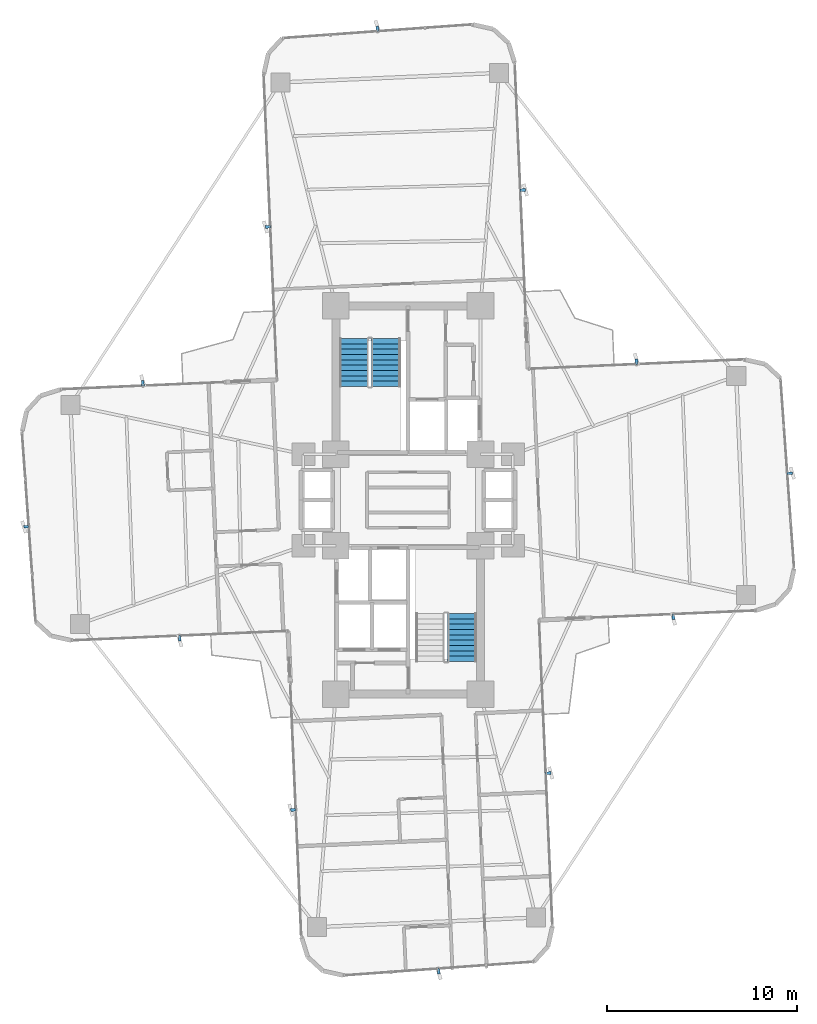
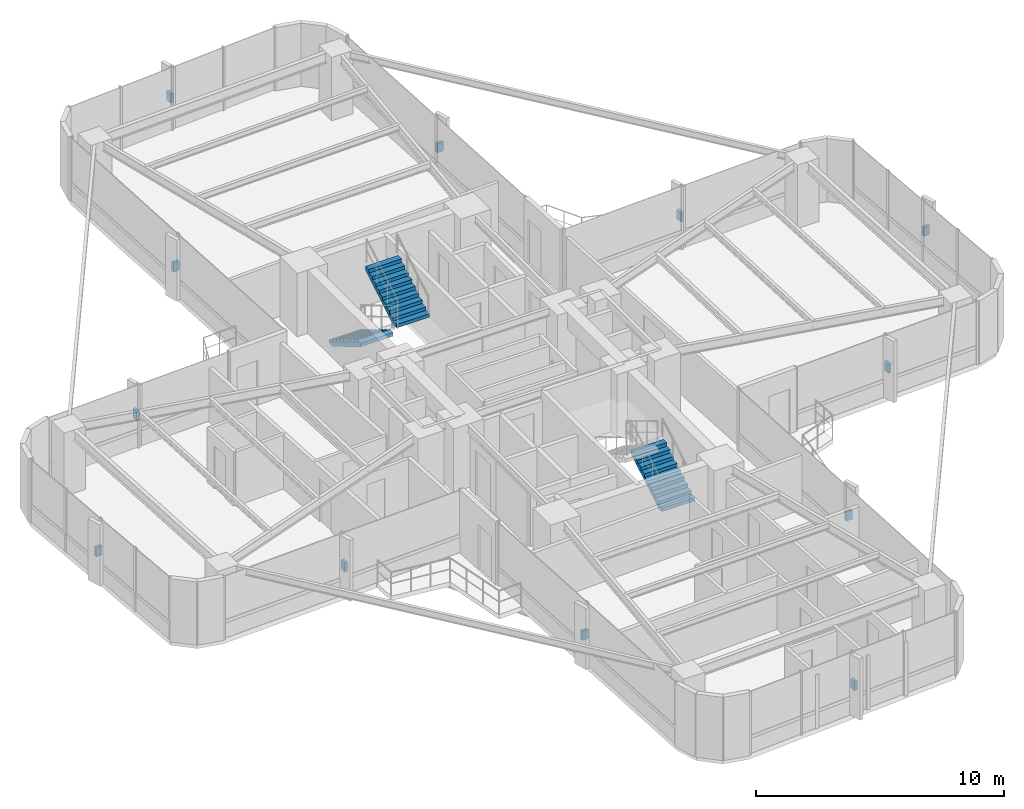
# One storey, part 25 of 26: 12 discrete accessories, 3 stair flights, 2 elements without a shape of their own.
"""IFC4 building model written with IfcOpenShell, lengths in metres."""

import ifcopenshell
import ifcopenshell.guid

model = None  # the IFC model being written
_history = None  # IfcOwnerHistory: only IFC2X3 demands one
_inside = {}  # id of a spatial element -> (the spatial element, [elements in it])
_under = {}  # id of a project, library or spatial element -> (it, [spatial elements below it])
_declared = {}  # id of a project -> (the project, [libraries it declares])
_typed = {}  # id of a type object -> (the type object, [elements of that type])
_made_of = {}  # id of a material, layer set ... -> (it, [elements and type objects made of it])


def new_model(schema):
    """Start an empty IFC model of exactly this schema.

    Asked for "IFC4X3", IfcOpenShell would pick the latest addendum, in which some entities
    have other attributes; the version numbers below select the first issue.
    IFC2X3 requires an IfcOwnerHistory on every rooted entity: one is made here for all.
    """
    global model, _history
    if schema == "IFC4X3":
        model = ifcopenshell.file(schema_version=(4, 3, 0, 0))
    else:
        model = ifcopenshell.file(schema=schema)
    _inside.clear()
    _under.clear()
    _declared.clear()
    _typed.clear()
    _made_of.clear()
    _history = None
    if model.schema == "IFC2X3":
        org = make("IfcOrganization", Name="unknown")
        user = make(
            "IfcPersonAndOrganization",
            ThePerson=make("IfcPerson", FamilyName="unknown"),
            TheOrganization=org,
        )
        app = make(
            "IfcApplication",
            ApplicationDeveloper=org,
            Version="unknown",
            ApplicationFullName="unknown",
            ApplicationIdentifier="unknown",
        )
        _history = make(
            "IfcOwnerHistory",
            OwningUser=user,
            OwningApplication=app,
            ChangeAction="ADDED",
            CreationDate=0,
        )
    return model


def make(cls, **values):
    """One entity of the class cls with the attributes given. An attribute that is None is left unset."""
    return model.create_entity(
        cls, **{name: value for name, value in values.items() if value is not None}
    )


def rooted(cls, **values):
    """An entity with a GlobalId (a new one), such as an element, a storey or a relation."""
    return make(cls, GlobalId=ifcopenshell.guid.new(), OwnerHistory=_history, **values)


def si_unit(unit_type, name, prefix=None):
    """IfcSIUnit, for example si_unit("LENGTHUNIT", "METRE", prefix="MILLI")."""
    return make("IfcSIUnit", UnitType=unit_type, Prefix=prefix, Name=name)


def assignment(units):
    """IfcUnitAssignment: the units of a project."""
    return None if units is None else make("IfcUnitAssignment", Units=units)


def point(xyz):
    """IfcCartesianPoint."""
    return None if xyz is None else make("IfcCartesianPoint", Coordinates=xyz)


def direction(xyz):
    """IfcDirection."""
    return None if xyz is None else make("IfcDirection", DirectionRatios=xyz)


def frame(location, z_axis=None, x_axis=None):
    """IfcAxis2Placement3D, a coordinate frame: its origin and axes. An axis left out is left unset."""
    return make(
        "IfcAxis2Placement3D",
        Location=point(location),
        Axis=direction(z_axis),
        RefDirection=direction(x_axis),
    )


def frame_2d(location, x_axis=None):
    """IfcAxis2Placement2D, a coordinate frame in the plane: its origin and x axis."""
    return make(
        "IfcAxis2Placement2D", Location=point(location), RefDirection=direction(x_axis)
    )


def origin():
    """The frame at (0, 0, 0) with its axes left unset."""
    return frame((0.0, 0.0, 0.0))


def origin_2d():
    """The frame at (0, 0) in the plane with its x axis left unset."""
    return frame_2d((0.0, 0.0))


def place(relative_to, where):
    """IfcLocalPlacement: puts the frame where relative to a parent placement (None: the world)."""
    return make(
        "IfcLocalPlacement", PlacementRelTo=relative_to, RelativePlacement=where
    )


def context(
    kind, dimensions, precision=None, world=None, true_north=None, identifier=None
):
    """IfcGeometricRepresentationContext, for example the 3D "Model" context."""
    return make(
        "IfcGeometricRepresentationContext",
        ContextIdentifier=identifier,
        ContextType=kind,
        CoordinateSpaceDimension=dimensions,
        Precision=precision,
        WorldCoordinateSystem=world,
        TrueNorth=true_north,
    )


def subcontext(parent, identifier, kind, view, scale=None):
    """IfcGeometricRepresentationSubContext, for example "Body" below "Model"."""
    return make(
        "IfcGeometricRepresentationSubContext",
        ContextIdentifier=identifier,
        ContextType=kind,
        ParentContext=parent,
        TargetScale=scale,
        TargetView=view,
    )


def project(units=None, contexts=None):
    """IfcProject with its units and contexts."""
    return rooted(
        "IfcProject",
        Name="project",
        RepresentationContexts=contexts,
        UnitsInContext=assignment(units),
    )


def spatial(cls, under=None, at=None, **own):
    """A site, building, storey or space (cls), placed at a placement, below another one or the project."""
    s = rooted(cls, ObjectPlacement=at, **own)
    if under is not None:
        _under.setdefault(under.id(), (under, []))[1].append(s)
    return s


def polyline(points):
    """IfcPolyline through the points."""
    return make("IfcPolyline", Points=[point(p) for p in points])


def profile(cls, at=None, kind="AREA", **sizes):
    """A parametric profile (cls). Its sizes go by their IFC names, for example OverallWidth=200.0."""
    return make(cls, ProfileType=kind, Position=at, **sizes)


def rectangle(**sizes):
    """IfcRectangleProfileDef."""
    return profile("IfcRectangleProfileDef", **sizes)


def outline(outer, holes=None, kind="AREA"):
    """IfcArbitraryClosedProfileDef: a profile drawn as a closed curve; with holes, ...WithVoids."""
    if holes is None:
        return make("IfcArbitraryClosedProfileDef", ProfileType=kind, OuterCurve=outer)
    return make(
        "IfcArbitraryProfileDefWithVoids",
        ProfileType=kind,
        OuterCurve=outer,
        InnerCurves=holes,
    )


def extrude(swept, where, along, depth):
    """IfcExtrudedAreaSolid: the profile swept, set in the frame where, extruded along a direction by depth."""
    return make(
        "IfcExtrudedAreaSolid",
        SweptArea=swept,
        Position=where,
        ExtrudedDirection=direction(along),
        Depth=depth,
    )


def shape(context_of_items, identifier, shape_type, items):
    """IfcShapeRepresentation: the items that make up one representation, for example the "Body"."""
    return make(
        "IfcShapeRepresentation",
        ContextOfItems=context_of_items,
        RepresentationIdentifier=identifier,
        RepresentationType=shape_type,
        Items=items,
    )


def source(mapping_origin, context_of_items, identifier, shape_type, items):
    """IfcRepresentationMap: a shape defined once, which mapped items show again and again."""
    return make(
        "IfcRepresentationMap",
        MappingOrigin=mapping_origin,
        MappedRepresentation=shape(context_of_items, identifier, shape_type, items),
    )


def transform(
    local_origin,
    x_axis=None,
    y_axis=None,
    z_axis=None,
    scale=None,
    scale2=None,
    scale3=None,
    uniform=True,
):
    """IfcCartesianTransformationOperator3D, or its non-uniform kind. x_axis, y_axis, z_axis: its Axis1, 2, 3."""
    if uniform:
        return make(
            "IfcCartesianTransformationOperator3D",
            Axis1=direction(x_axis),
            Axis2=direction(y_axis),
            LocalOrigin=point(local_origin),
            Scale=scale,
            Axis3=direction(z_axis),
        )
    return make(
        "IfcCartesianTransformationOperator3DnonUniform",
        Axis1=direction(x_axis),
        Axis2=direction(y_axis),
        LocalOrigin=point(local_origin),
        Scale=scale,
        Axis3=direction(z_axis),
        Scale2=scale2,
        Scale3=scale3,
    )


def mapped(mapping_source, mapping_target):
    """IfcMappedItem: shows the shape of a source again, moved by a transform."""
    return make(
        "IfcMappedItem", MappingSource=mapping_source, MappingTarget=mapping_target
    )


def material(Name=None, Category=None):
    """IfcMaterial."""
    return make("IfcMaterial", Name=Name, Category=Category)


def made_of(thing, what):
    """Note that an element or type object is made of a material, layer set ...; save() writes the relation."""
    if what is not None:
        _made_of.setdefault(what.id(), (what, []))[1].append(thing)
    return thing


def type_object(cls, material=None, **own):
    """A type object (cls), such as IfcWallType, which elements share."""
    return made_of(rooted(cls, **own), material)


def element(
    cls,
    number,
    at=None,
    inside=None,
    cuts=None,
    type_object=None,
    material=None,
    context=None,
    identifier="Body",
    shape_type=None,
    held_by="IfcProductDefinitionShape",
    body=None,
    shapes=None,
    **own,
):
    """One element of the class cls, such as IfcWall. Its Tag is "e" and its number.

    at: its placement. inside: the storey or other place that contains it. cuts: it is an
    opening in that element (IfcRelVoidsElement). A single representation is given by context,
    identifier, shape_type and body (its items); several are given by shapes. held_by: the class
    of the entity that holds the representations. save() writes the other relations.
    """
    e = rooted(cls, Tag="e%d" % number, ObjectPlacement=at, **own)
    if body is not None:
        shapes = [shape(context, identifier, shape_type, body)]
    if shapes is not None:
        e.Representation = make(held_by, Representations=shapes)
    if inside is not None:
        _inside.setdefault(inside.id(), (inside, []))[1].append(e)
    if cuts is not None:
        rooted(
            "IfcRelVoidsElement", RelatingBuildingElement=cuts, RelatedOpeningElement=e
        )
    if type_object is not None:
        _typed.setdefault(type_object.id(), (type_object, []))[1].append(e)
    return made_of(e, material)


def aggregate(whole, parts):
    """IfcRelAggregates: a whole, such as a stair, and the parts it consists of."""
    return rooted("IfcRelAggregates", RelatingObject=whole, RelatedObjects=parts)


def save(model, path):
    """Write the relations noted so far, then the file.

    IfcRelAggregates (storeys below a building ...), IfcRelContainedInSpatialStructure (elements
    in a storey), IfcRelDefinesByType, IfcRelAssociatesMaterial and IfcRelDeclares: one each for
    every whole, place, type object, material and project.
    """
    for whole, parts in _under.values():
        aggregate(whole, parts)
    for where, things in _inside.values():
        rooted(
            "IfcRelContainedInSpatialStructure",
            RelatedElements=things,
            RelatingStructure=where,
        )
    for kind, things in _typed.values():
        rooted("IfcRelDefinesByType", RelatedObjects=things, RelatingType=kind)
    for what, things in _made_of.values():
        rooted("IfcRelAssociatesMaterial", RelatedObjects=things, RelatingMaterial=what)
    for by, libraries in _declared.values():
        rooted("IfcRelDeclares", RelatingContext=by, RelatedDefinitions=libraries)
    model.write(path)


model = new_model("IFC4")

# Units and contexts
model_context = context("Model", 3, precision=1e-05, world=origin(), true_north=direction((0.0, 1.0)))
body_context = subcontext(model_context, "Body", "Model", "MODEL_VIEW")
ifc_project = project(units=[si_unit("LENGTHUNIT", "METRE"), si_unit("AREAUNIT", "SQUARE_METRE"), si_unit("VOLUMEUNIT", "CUBIC_METRE"), si_unit("PLANEANGLEUNIT", "RADIAN"), si_unit("MASSUNIT", "GRAM", prefix="KILO")], contexts=[model_context])

# Site, building, storey
site_placement = place(None, origin())
site = spatial("IfcSite", under=ifc_project, at=site_placement, CompositionType="ELEMENT")
building_placement = place(site_placement, origin())
building = spatial("IfcBuilding", under=site, at=building_placement, Name="Sahyath Konkavel Grand Hotel", CompositionType="ELEMENT")
storey_placement = place(building_placement, frame((0.0, 0.0, 96.89990234375)))
storey = spatial("IfcBuildingStorey", under=building, at=storey_placement, Name="L26", CompositionType="ELEMENT", Elevation=96.89990234375)

# Stair, stair flights
ifc_material_1 = material(Name="Concrete C40/50", Category="concrete")
stair_type = type_object("IfcStairType", Name="STR-ST16-335", PredefinedType="HALF_TURN_STAIR", material=ifc_material_1)
stair_1_placement = place(storey_placement, origin())
stair_1 = element("IfcStair", 1, at=stair_1_placement, inside=storey, type_object=stair_type, Name="L26 North Core Smokeproof Exit Stair ST-1", PredefinedType="HALF_TURN_STAIR")
stair_flight_type = type_object("IfcStairFlightType", Name="STF-ST16-335", PredefinedType="STRAIGHT", material=ifc_material_1)
stair_flight_1_placement = place(storey_placement, frame((-2.840087890625, 8.47998046875, 0.0), z_axis=(0.0, 0.0, 1.0), x_axis=(0.0, -1.0, 0.0)))
stair_flight_1 = element("IfcStairFlight", 2, at=stair_flight_1_placement, type_object=stair_flight_type, Name="ST-1 flight 1", NumberOfRisers=10, NumberOfTreads=9, PredefinedType="STRAIGHT", RiserHeight=0.1675, TreadLength=0.28, context=body_context, shape_type="SweptSolid", body=[
    extrude(outline(polyline([(0.0, 0.0), (0.0, 0.16748046875), (0.280029296875, 0.16748046875), (0.280029296875, 0.3349609375), (0.56005859375, 0.3349609375), (0.56005859375, 0.50244140625), (0.840087890625, 0.50244140625), (0.840087890625, 0.669921875), (1.1201171875, 0.669921875), (1.1201171875, 0.83740234375), (1.39990234375, 0.83740234375), (1.39990234375, 1.0048828125), (1.679931640625, 1.0048828125), (1.679931640625, 1.172607421875), (1.9599609375, 1.172607421875), (1.9599609375, 1.340087890625), (2.239990234375, 1.340087890625), (2.239990234375, 1.507568359375), (2.52001953125, 1.507568359375), (2.52001953125, 1.675048828125), (2.52001953125, 1.332763671875), (0.2919921875, 0.0), (0.0, 0.0)])), frame((0.0, 0.760009765625, 0.0), z_axis=(0.0, -1.0, 0.0), x_axis=(1.0, 0.0, 0.0)), (0.0, 0.0, 1.0), 1.52001953125),
])
stair_flight_2_placement = place(storey_placement, frame((-1.159912109375, 5.9599609375, 1.675048828125), z_axis=(0.0, 0.0, 1.0), x_axis=(0.0, 1.0, 0.0)))
stair_flight_2 = element("IfcStairFlight", 3, at=stair_flight_2_placement, type_object=stair_flight_type, Name="ST-1 flight 2", NumberOfRisers=10, NumberOfTreads=9, PredefinedType="STRAIGHT", RiserHeight=0.1675, TreadLength=0.28, context=body_context, shape_type="SweptSolid", body=[
    extrude(outline(polyline([(0.0, 0.0), (0.0, 0.16748046875), (0.280029296875, 0.16748046875), (0.280029296875, 0.3349609375), (0.56005859375, 0.3349609375), (0.56005859375, 0.50244140625), (0.840087890625, 0.50244140625), (0.840087890625, 0.669921875), (1.1201171875, 0.669921875), (1.1201171875, 0.83740234375), (1.39990234375, 0.83740234375), (1.39990234375, 1.0048828125), (1.679931640625, 1.0048828125), (1.679931640625, 1.172607421875), (1.9599609375, 1.172607421875), (1.9599609375, 1.340087890625), (2.239990234375, 1.340087890625), (2.239990234375, 1.507568359375), (2.52001953125, 1.507568359375), (2.52001953125, 1.675048828125), (2.52001953125, 1.332763671875), (0.2919921875, 0.0), (0.0, 0.0)])), frame((0.0, 0.760009765625, 0.0), z_axis=(0.0, -1.0, 0.0), x_axis=(1.0, 0.0, 0.0)), (0.0, 0.0, 1.0), 1.52001953125),
])
aggregate(stair_1, [stair_flight_1, stair_flight_2])

# Stair, stair flight
stair_2_placement = place(storey_placement, origin())
stair_2 = element("IfcStair", 4, at=stair_2_placement, inside=storey, type_object=stair_type, Name="L26 South Core Smokeproof Exit Stair ST-2", PredefinedType="HALF_TURN_STAIR")
stair_flight_3_placement = place(storey_placement, frame((2.840087890625, -8.47998046875, 0.0), z_axis=(0.0, 0.0, 1.0), x_axis=(0.0, 1.0, 0.0)))
stair_flight_3 = element("IfcStairFlight", 5, at=stair_flight_3_placement, type_object=stair_flight_type, Name="ST-2 flight 1", NumberOfRisers=10, NumberOfTreads=9, PredefinedType="STRAIGHT", RiserHeight=0.1675, TreadLength=0.28, context=body_context, shape_type="SweptSolid", body=[
    extrude(outline(polyline([(0.0, 0.0), (0.0, 0.16748046875), (0.280029296875, 0.16748046875), (0.280029296875, 0.3349609375), (0.56005859375, 0.3349609375), (0.56005859375, 0.50244140625), (0.840087890625, 0.50244140625), (0.840087890625, 0.669921875), (1.1201171875, 0.669921875), (1.1201171875, 0.83740234375), (1.39990234375, 0.83740234375), (1.39990234375, 1.0048828125), (1.679931640625, 1.0048828125), (1.679931640625, 1.172607421875), (1.9599609375, 1.172607421875), (1.9599609375, 1.340087890625), (2.239990234375, 1.340087890625), (2.239990234375, 1.507568359375), (2.52001953125, 1.507568359375), (2.52001953125, 1.675048828125), (2.52001953125, 1.332763671875), (0.2919921875, 0.0), (0.0, 0.0)])), frame((0.0, 0.760009765625, 0.0), z_axis=(0.0, -1.0, 0.0), x_axis=(1.0, 0.0, 0.0)), (0.0, 0.0, 1.0), 1.52001953125),
])
aggregate(stair_2, [stair_flight_3])

# Discrete accessories
ifc_material_2 = material(Name="Steel E350", Category="steel")
discrete_accessory_type = type_object("IfcDiscreteAccessoryType", Name="ACC-FIN-BRACKET", PredefinedType="BRACKET", material=ifc_material_2)
shared_shape = source(origin(), body_context, "Body", "SweptSolid", [
    extrude(rectangle(XDim=0.280029296875, YDim=0.139892578125, at=origin_2d()), origin(), (0.0, 0.0, 1.0), 0.449951171875),
])
for number, where, z_axis, x_axis, name in (
    (6, (13.9306640625, -6.128173828125, 1.330078125), (0.0, 0.0, 1.0), (0.043601950678, -0.999048982732, 0.0), "L26 Fin Support Bracket F0-1"),
    (7, (20.047119140625, 1.404296875, 1.330078125), (0.0, 0.0, 1.0), (0.997435789037, 0.071567078661, 0.0), "L26 Fin Support Bracket F4-2"),
    (8, (11.99462890625, 7.26025390625, 1.330078125), (0.0, 0.0, 1.0), (-0.043619387365, 0.999048221582, 0.0), "L26 Fin Support Bracket F7-1"),
    (9, (6.025634765625, 16.2783203125, 1.330078125), (0.0, 0.0, 1.0), (0.999048221582, 0.043619387365, 0.0), "L26 Fin Support Bracket F8-1"),
    (10, (-1.609375, 24.74267578125, 1.330078125), (0.0, 0.0, 1.0), (-0.071567078661, 0.997435789037, 0.0), "L26 Fin Support Bracket F12-2"),
    (11, (-7.362548828125, 14.342529296875, 1.330078125), (0.0, 0.0, 1.0), (-0.999048221582, -0.043619387365, 0.0), "L26 Fin Support Bracket F15-1"),
    (12, (-13.9306640625, 6.128173828125, 1.330078125), (0.0, 0.0, 1.0), (-0.043601950678, 0.999048982732, 0.0), "L26 Fin Support Bracket F16-1"),
    (13, (-20.047119140625, -1.404296875, 1.330078125), (0.0, 0.0, 1.0), (-0.997435789037, -0.071567078661, 0.0), "L26 Fin Support Bracket F20-2"),
    (14, (-11.99462890625, -7.26025390625, 1.330078125), (0.0, 0.0, 1.0), (0.043619387365, -0.999048221582, 0.0), "L26 Fin Support Bracket F23-1"),
    (15, (-6.025634765625, -16.2783203125, 1.330078125), (0.0, 0.0, 1.0), (-0.999048221582, -0.043619387365, 0.0), "L26 Fin Support Bracket F24-1"),
    (16, (1.609375, -24.74267578125, 1.330078125), (0.0, 0.0, 1.0), (0.071567078661, -0.997435789037, 0.0), "L26 Fin Support Bracket F28-2"),
    (17, (7.362548828125, -14.342529296875, 1.330078125), (0.0, 0.0, 1.0), (0.999048221582, 0.043619387365, 0.0), "L26 Fin Support Bracket F31-1"),
):
    element("IfcDiscreteAccessory", number, at=place(storey_placement, frame(where, z_axis=z_axis, x_axis=x_axis)), inside=storey, type_object=discrete_accessory_type, Name=name, PredefinedType="BRACKET", context=body_context, shape_type="MappedRepresentation", body=[
        mapped(shared_shape, transform((0.0, 0.0, 0.0), scale=1.0)),
    ])

save(model, "model.ifc")
